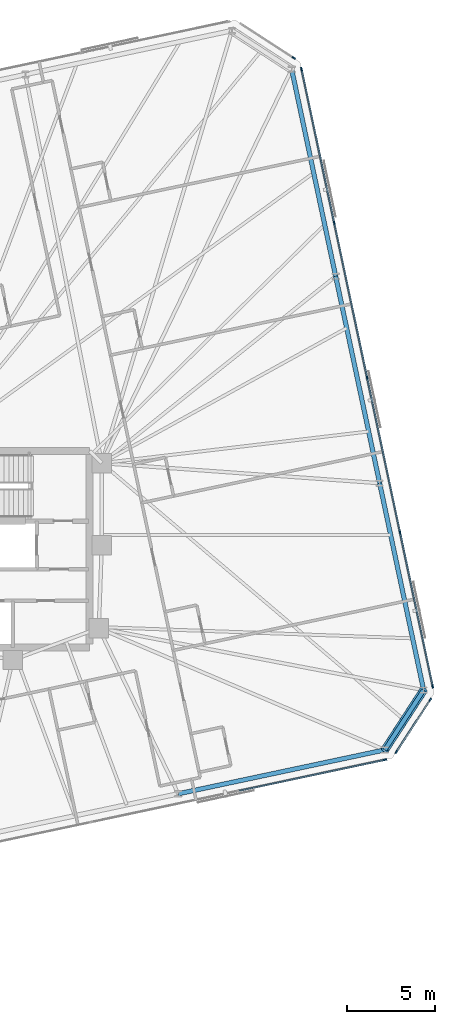
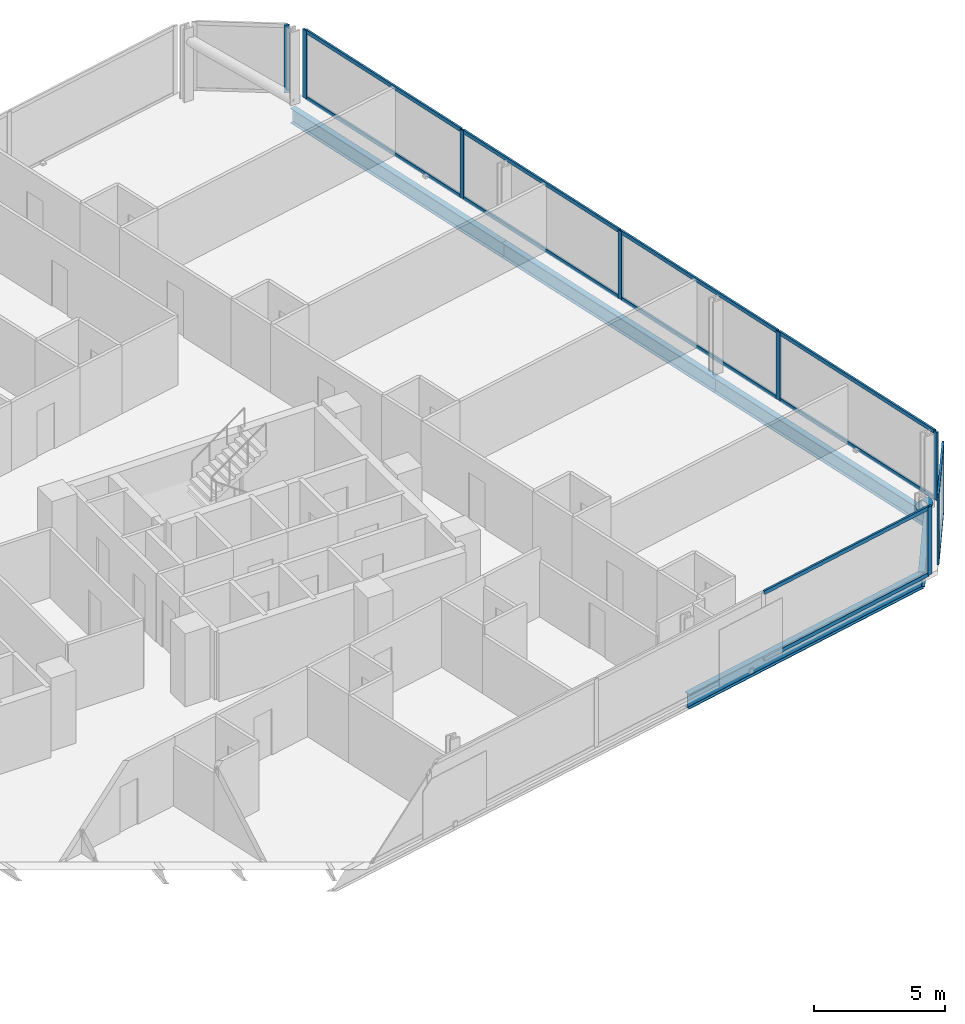
# One storey, part 12 of 20: 22 members, 5 beams, 4 elements without a shape of their own.
"""IFC4 building model written with IfcOpenShell, lengths in metres."""

from ifc_helpers import new_model, si_unit, direction, frame, origin, origin_2d, place, context, subcontext, project, spatial, rectangle, hollow_circle, i_section, extrude, material, material_profile, profile_set, type_object, element, aggregate, save


model = new_model("IFC4")

# Units and contexts
model_context = context("Model", 3, precision=1e-05, world=origin(), true_north=direction((0.0, 1.0)))
body_context = subcontext(model_context, "Body", "Model", "MODEL_VIEW")
ifc_project = project(units=[si_unit("LENGTHUNIT", "METRE"), si_unit("AREAUNIT", "SQUARE_METRE"), si_unit("VOLUMEUNIT", "CUBIC_METRE"), si_unit("PLANEANGLEUNIT", "RADIAN"), si_unit("MASSUNIT", "GRAM", prefix="KILO")], contexts=[model_context])

# Site, building, storey
site_placement = place(None, origin())
site = spatial("IfcSite", under=ifc_project, at=site_placement, CompositionType="ELEMENT")
building_placement = place(site_placement, origin())
building = spatial("IfcBuilding", under=site, at=building_placement, Name="Menara Jurai Vektor", CompositionType="ELEMENT")
storey_placement = place(building_placement, frame((0.0, 0.0, 178.60009765625)))
storey = spatial("IfcBuildingStorey", under=building, at=storey_placement, Name="L46", CompositionType="ELEMENT", Elevation=178.60009765625)

# Curtain wall, member
ifc_material_1 = material(Name="Anodised Pale Aluminium & Low-E Double Glazing", Category="aluminium")
curtain_wall_type = type_object("IfcCurtainWallType", Name="CW-BLK3", PredefinedType="NOTDEFINED", material=ifc_material_1)
curtain_wall_1_placement = place(storey_placement, origin())
curtain_wall_1 = element("IfcCurtainWall", 1, at=curtain_wall_1_placement, inside=storey, type_object=curtain_wall_type, Name="Unitised Curtain Wall L46 F01", PredefinedType="NOTDEFINED")
ifc_material_2 = material(Name="Anodised Pale Aluminium Mullion", Category="aluminium")
ifc_material_profile_1 = material_profile(ifc_material_2, rectangle(XDim=0.0849609375, YDim=0.205078125, at=origin_2d()), Name="ALU MUL 85x205")
ifc_profile_set_1 = profile_set([ifc_material_profile_1], Name="Anodised Pale Aluminium Mullion")
member_type_1 = type_object("IfcMemberType", Name="CW-BLK3-MUL", PredefinedType="MULLION", material=ifc_profile_set_1)
member_1_placement = place(storey_placement, frame((31.392578125, -11.99755859375, 0.0), z_axis=(0.0, 0.0, 1.0), x_axis=(-0.207911344156, 0.978147674419, 0.0)))
member_1 = element("IfcMember", 2, at=member_1_placement, type_object=member_type_1, Name="CW-03 mullion 8", PredefinedType="MULLION", context=body_context, shape_type="SweptSolid", body=[
    extrude(rectangle(XDim=0.0849609375, YDim=0.205078125, at=origin_2d()), origin(), (0.0, 0.0, 1.0), 3.1748046875),
])

# Curtain wall, members
curtain_wall_2_placement = place(storey_placement, origin())
curtain_wall_2 = element("IfcCurtainWall", 3, at=curtain_wall_2_placement, inside=storey, type_object=curtain_wall_type, Name="Unitised Curtain Wall L46 F02", PredefinedType="NOTDEFINED")
member_2_placement = place(storey_placement, frame((32.035888671875, -11.555419921875, 0.0), z_axis=(0.0, 0.0, 1.0), x_axis=(-0.838684361415, 0.544617794346, 0.0)))
member_2 = element("IfcMember", 4, at=member_2_placement, type_object=member_type_1, Name="CW-03 mullion 1", PredefinedType="MULLION", context=body_context, shape_type="SweptSolid", body=[
    extrude(rectangle(XDim=0.0849609375, YDim=0.205078125, at=origin_2d()), origin(), (0.0, 0.0, 1.0), 3.1748046875),
])
member_3_placement = place(storey_placement, frame((33.96337890625, -8.587158203125, 0.0), z_axis=(0.0, 0.0, 1.0), x_axis=(-0.838684361415, 0.544617794346, 0.0)))
member_3 = element("IfcMember", 5, at=member_3_placement, type_object=member_type_1, Name="CW-03 mullion 2", PredefinedType="MULLION", context=body_context, shape_type="SweptSolid", body=[
    extrude(rectangle(XDim=0.0849609375, YDim=0.205078125, at=origin_2d()), origin(), (0.0, 0.0, 1.0), 3.1748046875),
])

curtain_wall_3_placement = place(storey_placement, origin())
curtain_wall_3 = element("IfcCurtainWall", 6, at=curtain_wall_3_placement, inside=storey, type_object=curtain_wall_type, Name="Unitised Curtain Wall L46 F03", PredefinedType="NOTDEFINED")
member_4_placement = place(storey_placement, frame((34.105712890625, -7.819580078125, 0.0), z_axis=(0.0, 0.0, 1.0), x_axis=(-0.978147883949, -0.20791035839, 0.0)))
member_4 = element("IfcMember", 7, at=member_4_placement, type_object=member_type_1, Name="CW-03 mullion 1", PredefinedType="MULLION", context=body_context, shape_type="SweptSolid", body=[
    extrude(rectangle(XDim=0.0849609375, YDim=0.205078125, at=origin_2d()), origin(), (0.0, 0.0, 1.0), 3.1748046875),
])
member_5_placement = place(storey_placement, frame((32.2412109375, 0.951904296875, 0.0), z_axis=(0.0, 0.0, 1.0), x_axis=(-0.978147883949, -0.20791035839, 0.0)))
member_5 = element("IfcMember", 8, at=member_5_placement, type_object=member_type_1, Name="CW-03 mullion 2", PredefinedType="MULLION", context=body_context, shape_type="SweptSolid", body=[
    extrude(rectangle(XDim=0.0849609375, YDim=0.205078125, at=origin_2d()), origin(), (0.0, 0.0, 1.0), 3.1748046875),
])
member_6_placement = place(storey_placement, frame((30.367919921875, 9.76513671875, 0.0), z_axis=(0.0, 0.0, 1.0), x_axis=(-0.978147883949, -0.20791035839, 0.0)))
member_6 = element("IfcMember", 9, at=member_6_placement, type_object=member_type_1, Name="CW-03 mullion 3", PredefinedType="MULLION", context=body_context, shape_type="SweptSolid", body=[
    extrude(rectangle(XDim=0.0849609375, YDim=0.205078125, at=origin_2d()), origin(), (0.0, 0.0, 1.0), 3.1748046875),
])
member_7_placement = place(storey_placement, frame((28.49462890625, 18.578125, 0.0), z_axis=(0.0, 0.0, 1.0), x_axis=(-0.978147883949, -0.20791035839, 0.0)))
member_7 = element("IfcMember", 10, at=member_7_placement, type_object=member_type_1, Name="CW-03 mullion 4", PredefinedType="MULLION", context=body_context, shape_type="SweptSolid", body=[
    extrude(rectangle(XDim=0.0849609375, YDim=0.205078125, at=origin_2d()), origin(), (0.0, 0.0, 1.0), 3.1748046875),
])
member_8_placement = place(storey_placement, frame((26.630126953125, 27.349609375, 0.0), z_axis=(0.0, 0.0, 1.0), x_axis=(-0.978147883949, -0.20791035839, 0.0)))
member_8 = element("IfcMember", 11, at=member_8_placement, type_object=member_type_1, Name="CW-03 mullion 5", PredefinedType="MULLION", context=body_context, shape_type="SweptSolid", body=[
    extrude(rectangle(XDim=0.0849609375, YDim=0.205078125, at=origin_2d()), origin(), (0.0, 0.0, 1.0), 3.1748046875),
])

# Curtain wall, member
curtain_wall_4_placement = place(storey_placement, origin())
curtain_wall_4 = element("IfcCurtainWall", 12, at=curtain_wall_4_placement, inside=storey, type_object=curtain_wall_type, Name="Unitised Curtain Wall L46 F04", PredefinedType="NOTDEFINED")
member_9_placement = place(storey_placement, frame((26.18798828125, 27.9931640625, 0.0), z_axis=(0.0, 0.0, 1.0), x_axis=(-0.544617794346, -0.838684361415, 0.0)))
member_9 = element("IfcMember", 13, at=member_9_placement, type_object=member_type_1, Name="CW-03 mullion 1", PredefinedType="MULLION", context=body_context, shape_type="SweptSolid", body=[
    extrude(rectangle(XDim=0.0849609375, YDim=0.205078125, at=origin_2d()), origin(), (0.0, 0.0, 1.0), 3.1748046875),
])
aggregate(curtain_wall_4, [member_9])

# Member
ifc_material_3 = material(Name="Anodised Pale Aluminium Transom", Category="aluminium")
ifc_material_profile_2 = material_profile(ifc_material_3, rectangle(XDim=0.0849609375, YDim=0.175048828125, at=origin_2d()), Name="ALU TRN 85x175")
ifc_profile_set_2 = profile_set([ifc_material_profile_2], Name="Anodised Pale Aluminium Transom")
member_type_2 = type_object("IfcMemberType", Name="CW-BLK3-TRN", PredefinedType="USERDEFINED", material=ifc_profile_set_2)
member_10_placement = place(storey_placement, frame((23.0859375, -13.76318359375, 0.04248046875), z_axis=(0.978146953428, 0.207914736128, 0.0), x_axis=(-0.207914736128, 0.978146953428, 0.0)))
member_10 = element("IfcMember", 14, at=member_10_placement, type_object=member_type_2, Name="CW-03 transom 7.1", ObjectType="TRANSOM", PredefinedType="USERDEFINED", context=body_context, shape_type="SweptSolid", body=[
    extrude(rectangle(XDim=0.0849609375, YDim=0.175048828125, at=origin_2d()), origin(), (0.0, 0.0, 1.0), 8.44970703125),
])

member_11_placement = place(storey_placement, frame((23.0859375, -13.76318359375, 3.13232421875), z_axis=(0.978146953428, 0.207914736128, 0.0), x_axis=(-0.207914736128, 0.978146953428, 0.0)))
member_11 = element("IfcMember", 15, at=member_11_placement, type_object=member_type_2, Name="CW-03 transom 7.2", ObjectType="TRANSOM", PredefinedType="USERDEFINED", context=body_context, shape_type="SweptSolid", body=[
    extrude(rectangle(XDim=0.0849609375, YDim=0.175048828125, at=origin_2d()), origin(), (0.0, 0.0, 1.0), 8.44970703125),
])

aggregate(curtain_wall_1, [member_1, member_10, member_11])

member_12_placement = place(storey_placement, frame((32.05908203125, -11.519775390625, 0.04248046875), z_axis=(0.54459575764, 0.838698671014, 0.0), x_axis=(-0.838698671014, 0.54459575764, 0.0)))
member_12 = element("IfcMember", 16, at=member_12_placement, type_object=member_type_2, Name="CW-03 transom 1.1", ObjectType="TRANSOM", PredefinedType="USERDEFINED", context=body_context, shape_type="SweptSolid", body=[
    extrude(rectangle(XDim=0.0849609375, YDim=0.175048828125, at=origin_2d()), origin(), (0.0, 0.0, 1.0), 3.4541015625),
])

member_13_placement = place(storey_placement, frame((32.05908203125, -11.519775390625, 3.13232421875), z_axis=(0.54459575764, 0.838698671014, 0.0), x_axis=(-0.838698671014, 0.54459575764, 0.0)))
member_13 = element("IfcMember", 17, at=member_13_placement, type_object=member_type_2, Name="CW-03 transom 1.2", ObjectType="TRANSOM", PredefinedType="USERDEFINED", context=body_context, shape_type="SweptSolid", body=[
    extrude(rectangle(XDim=0.0849609375, YDim=0.175048828125, at=origin_2d()), origin(), (0.0, 0.0, 1.0), 3.4541015625),
])

aggregate(curtain_wall_2, [member_2, member_3, member_12, member_13])

member_14_placement = place(storey_placement, frame((34.096923828125, -7.778076171875, 0.04248046875), z_axis=(-0.207925814542, 0.978144598537, 0.0), x_axis=(-0.978144598537, -0.207925814542, 0.0)))
member_14 = element("IfcMember", 18, at=member_14_placement, type_object=member_type_2, Name="CW-03 transom 1.1", ObjectType="TRANSOM", PredefinedType="USERDEFINED", context=body_context, shape_type="SweptSolid", body=[
    extrude(rectangle(XDim=0.0849609375, YDim=0.175048828125, at=origin_2d()), origin(), (0.0, 0.0, 1.0), 8.882568359375),
])

member_15_placement = place(storey_placement, frame((34.096923828125, -7.778076171875, 3.13232421875), z_axis=(-0.207925814542, 0.978144598537, 0.0), x_axis=(-0.978144598537, -0.207925814542, 0.0)))
member_15 = element("IfcMember", 19, at=member_15_placement, type_object=member_type_2, Name="CW-03 transom 1.2", ObjectType="TRANSOM", PredefinedType="USERDEFINED", context=body_context, shape_type="SweptSolid", body=[
    extrude(rectangle(XDim=0.0849609375, YDim=0.175048828125, at=origin_2d()), origin(), (0.0, 0.0, 1.0), 8.882568359375),
])

member_16_placement = place(storey_placement, frame((32.232421875, 0.993408203125, 0.04248046875), z_axis=(-0.207922224243, 0.978145361726, 0.0), x_axis=(-0.978145361726, -0.207922224243, 0.0)))
member_16 = element("IfcMember", 20, at=member_16_placement, type_object=member_type_2, Name="CW-03 transom 2.1", ObjectType="TRANSOM", PredefinedType="USERDEFINED", context=body_context, shape_type="SweptSolid", body=[
    extrude(rectangle(XDim=0.0849609375, YDim=0.175048828125, at=origin_2d()), origin(), (0.0, 0.0, 1.0), 8.925048828125),
])

member_17_placement = place(storey_placement, frame((32.232421875, 0.993408203125, 3.13232421875), z_axis=(-0.207922224243, 0.978145361726, 0.0), x_axis=(-0.978145361726, -0.207922224243, 0.0)))
member_17 = element("IfcMember", 21, at=member_17_placement, type_object=member_type_2, Name="CW-03 transom 2.2", ObjectType="TRANSOM", PredefinedType="USERDEFINED", context=body_context, shape_type="SweptSolid", body=[
    extrude(rectangle(XDim=0.0849609375, YDim=0.175048828125, at=origin_2d()), origin(), (0.0, 0.0, 1.0), 8.925048828125),
])

member_18_placement = place(storey_placement, frame((30.359130859375, 9.806640625, 0.04248046875), z_axis=(-0.207922224243, 0.978145361726, 0.0), x_axis=(-0.978145361726, -0.207922224243, 0.0)))
member_18 = element("IfcMember", 22, at=member_18_placement, type_object=member_type_2, Name="CW-03 transom 3.1", ObjectType="TRANSOM", PredefinedType="USERDEFINED", context=body_context, shape_type="SweptSolid", body=[
    extrude(rectangle(XDim=0.0849609375, YDim=0.175048828125, at=origin_2d()), origin(), (0.0, 0.0, 1.0), 8.925048828125),
])

member_19_placement = place(storey_placement, frame((30.359130859375, 9.806640625, 3.13232421875), z_axis=(-0.207922224243, 0.978145361726, 0.0), x_axis=(-0.978145361726, -0.207922224243, 0.0)))
member_19 = element("IfcMember", 23, at=member_19_placement, type_object=member_type_2, Name="CW-03 transom 3.2", ObjectType="TRANSOM", PredefinedType="USERDEFINED", context=body_context, shape_type="SweptSolid", body=[
    extrude(rectangle(XDim=0.0849609375, YDim=0.175048828125, at=origin_2d()), origin(), (0.0, 0.0, 1.0), 8.925048828125),
])

member_20_placement = place(storey_placement, frame((28.48583984375, 18.61962890625, 0.04248046875), z_axis=(-0.207899517354, 0.978150188204, 0.0), x_axis=(-0.978150188204, -0.207899517354, 0.0)))
member_20 = element("IfcMember", 24, at=member_20_placement, type_object=member_type_2, Name="CW-03 transom 4.1", ObjectType="TRANSOM", PredefinedType="USERDEFINED", context=body_context, shape_type="SweptSolid", body=[
    extrude(rectangle(XDim=0.0849609375, YDim=0.175048828125, at=origin_2d()), origin(), (0.0, 0.0, 1.0), 8.882568359375),
])

member_21_placement = place(storey_placement, frame((28.48583984375, 18.61962890625, 3.13232421875), z_axis=(-0.207899517354, 0.978150188204, 0.0), x_axis=(-0.978150188204, -0.207899517354, 0.0)))
member_21 = element("IfcMember", 25, at=member_21_placement, type_object=member_type_2, Name="CW-03 transom 4.2", ObjectType="TRANSOM", PredefinedType="USERDEFINED", context=body_context, shape_type="SweptSolid", body=[
    extrude(rectangle(XDim=0.0849609375, YDim=0.175048828125, at=origin_2d()), origin(), (0.0, 0.0, 1.0), 8.882568359375),
])

aggregate(curtain_wall_3, [member_4, member_5, member_6, member_7, member_8, member_14, member_15, member_16, member_17, member_18, member_19, member_20, member_21])

ifc_material_4 = material(Name="Steel S460", Category="steel")
ifc_material_profile_3 = material_profile(ifc_material_4, hollow_circle(Radius=0.228515625, WallThickness=0.01611328125, at=origin_2d()), Name="CHS 457x16")
ifc_profile_set_3 = profile_set([ifc_material_profile_3], Name="Steel S460")
member_type_3 = type_object("IfcMemberType", Name="STR-BR-457", PredefinedType="BRACE", material=ifc_profile_set_3)
member_22_placement = place(storey_placement, frame((33.588623046875, -8.031982421875, 0.14990234375), z_axis=(-0.454871874024, -0.700428396616, 0.549992399435), x_axis=(0.838665998507, -0.544646071268, 0.0)))
element("IfcMember", 26, at=member_22_placement, inside=storey, type_object=member_type_3, Name="Exoskeleton Corner Brace L46-1", PredefinedType="BRACE", context=body_context, shape_type="SweptSolid", body=[
    extrude(hollow_circle(Radius=0.228515625, WallThickness=0.01611328125, at=origin_2d()), origin(), (0.0, 0.0, 1.0), 4.86376953125),
])

# Beams
ifc_material_profile_4 = material_profile(ifc_material_4, i_section(OverallWidth=0.256103515625, OverallDepth=0.693115234375, WebThickness=0.013916015625, FlangeThickness=0.02392578125, FilletRadius=0.014892578125, at=origin_2d()), Name="UKB 686x254x170")
ifc_profile_set_4 = profile_set([ifc_material_profile_4], Name="Steel S460")
beam_type = type_object("IfcBeamType", Name="STR-SP-686", PredefinedType="SPANDREL", material=ifc_profile_set_4)
beam_1_placement = place(storey_placement, frame((19.608154296875, -13.940185546875, -0.571533203125), z_axis=(0.97814616202, 0.207918459318, 0.0), x_axis=(-0.207918459318, 0.97814616202, 0.0)))
element("IfcBeam", 27, at=beam_1_placement, inside=storey, type_object=beam_type, Name="Exoskeleton Spandrel Beam L46-05", PredefinedType="SPANDREL", context=body_context, shape_type="SweptSolid", body=[
    extrude(i_section(OverallWidth=0.256103515625, OverallDepth=0.693115234375, WebThickness=0.013916015625, FlangeThickness=0.02392578125, FilletRadius=0.014892578125, at=origin_2d()), origin(), (0.0, 0.0, 1.0), 12.031005859375),
])
beam_2_placement = place(storey_placement, frame((31.376220703125, -11.438720703125, -0.571533203125), z_axis=(0.544646071268, 0.838665998507, 0.0), x_axis=(-0.838665998507, 0.544646071268, 0.0)))
element("IfcBeam", 28, at=beam_2_placement, inside=storey, type_object=beam_type, Name="Exoskeleton Spandrel Beam L46-06", PredefinedType="SPANDREL", context=body_context, shape_type="SweptSolid", body=[
    extrude(i_section(OverallWidth=0.256103515625, OverallDepth=0.693115234375, WebThickness=0.013916015625, FlangeThickness=0.02392578125, FilletRadius=0.014892578125, at=origin_2d()), origin(), (0.0, 0.0, 1.0), 4.06201171875),
])
beam_3_placement = place(storey_placement, frame((33.588623046875, -8.031982421875, -0.571533203125), z_axis=(-0.207925382659, 0.978144690343, 0.0), x_axis=(-0.978144690343, -0.207925382659, 0.0)))
element("IfcBeam", 29, at=beam_3_placement, inside=storey, type_object=beam_type, Name="Exoskeleton Spandrel Beam L46-07", PredefinedType="SPANDREL", context=body_context, shape_type="SweptSolid", body=[
    extrude(i_section(OverallWidth=0.256103515625, OverallDepth=0.693115234375, WebThickness=0.013916015625, FlangeThickness=0.02392578125, FilletRadius=0.014892578125, at=origin_2d()), origin(), (0.0, 0.0, 1.0), 12.0517578125),
])
for number, where, z_axis, x_axis, name in (
    (30, (31.082763671875, 3.75634765625, -0.571533203125), (-0.207901880993, 0.978149685825, 0.0), (-0.978149685825, -0.207901880993, 0.0), "Exoskeleton Spandrel Beam L46-08"),
    (31, (28.5771484375, 15.544921875, -0.571533203125), (-0.207921262698, 0.978145566119, 0.0), (-0.978145566119, -0.207921262698, 0.0), "Exoskeleton Spandrel Beam L46-09"),
):
    element("IfcBeam", number, at=place(storey_placement, frame(where, z_axis=z_axis, x_axis=x_axis)), inside=storey, type_object=beam_type, Name=name, PredefinedType="SPANDREL", context=body_context, shape_type="SweptSolid", body=[
        extrude(i_section(OverallWidth=0.256103515625, OverallDepth=0.693115234375, WebThickness=0.013916015625, FlangeThickness=0.02392578125, FilletRadius=0.014892578125, at=origin_2d()), origin(), (0.0, 0.0, 1.0), 12.052001953125),
    ])

save(model, "model.ifc")
